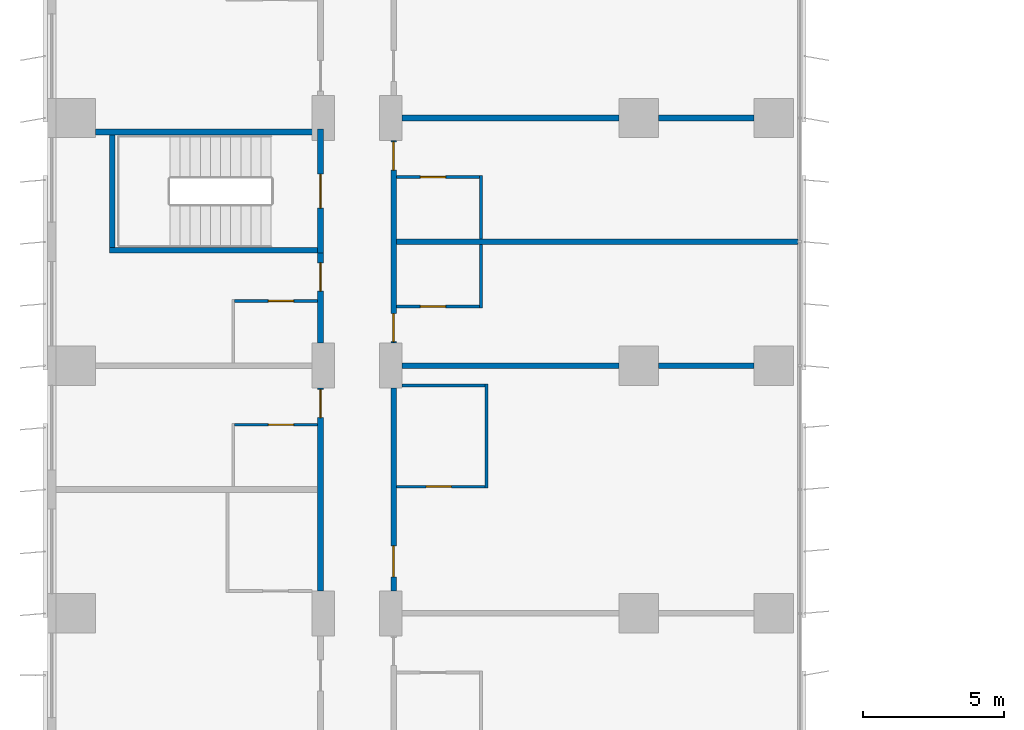
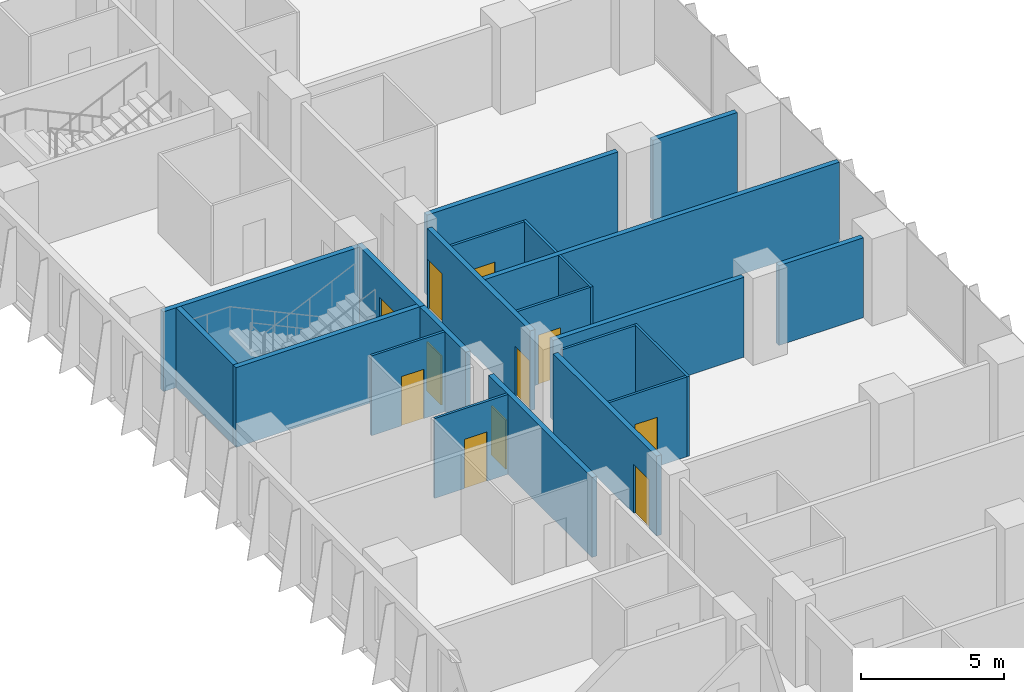
# One storey, part 17 of 24: 22 walls, 11 doors, 11 openings.
"""IFC4 building model written with IfcOpenShell, lengths in metres."""

from ifc_helpers import new_model, si_unit, direction, frame, frame_2d, origin, place, context, subcontext, project, spatial, rectangle, extrude, material, layer, layer_set, type_object, element, fill, save


model = new_model("IFC4")

# Units and contexts
model_context = context("Model", 3, precision=1e-05, world=origin(), true_north=direction((0.0, 1.0)))
body_context = subcontext(model_context, "Body", "Model", "MODEL_VIEW")
ifc_project = project(units=[si_unit("LENGTHUNIT", "METRE"), si_unit("AREAUNIT", "SQUARE_METRE"), si_unit("VOLUMEUNIT", "CUBIC_METRE"), si_unit("PLANEANGLEUNIT", "RADIAN"), si_unit("MASSUNIT", "GRAM", prefix="KILO")], contexts=[model_context])

# Site, building, storey
site_placement = place(None, origin())
site = spatial("IfcSite", under=ifc_project, at=site_placement, CompositionType="ELEMENT")
building_placement = place(site_placement, origin())
building = spatial("IfcBuilding", under=site, at=building_placement, Name="Kemantara Hotel Tower", CompositionType="ELEMENT")
storey_placement = place(building_placement, frame((0.0, 0.0, 63.60009765625)))
storey = spatial("IfcBuildingStorey", under=building, at=storey_placement, Name="L14", CompositionType="ELEMENT", Elevation=63.60009765625)

# Wall, opening, door
ifc_material_1 = material(Name="Gypsum board partition, steel studs and mineral wool, 200 mm", Category="steel")
ifc_layer_1 = layer(ifc_material_1, 0.199951171875)
ifc_layer_set_1 = layer_set([ifc_layer_1], Name="Gypsum board partition, steel studs and mineral wool, 200 mm")
wall_type_1 = type_object("IfcWallType", Name="CORRIDOR WALL 200", PredefinedType="PARTITIONING", material=ifc_layer_set_1)
wall_1_placement = place(storey_placement, frame((9.699951171875, 45.800048828125, 0.0), z_axis=(0.0, 0.0, 1.0), x_axis=(0.0, 1.0, 0.0)))
wall_1 = element("IfcWall", 1, at=wall_1_placement, inside=storey, type_object=wall_type_1, Name="CORRIDOR WALL 200 031", PredefinedType="PARTITIONING", context=body_context, shape_type="SweptSolid", body=[
    extrude(rectangle(XDim=7.199951171875, YDim=0.199951171875, at=frame_2d((3.60009765625, 0.0))), origin(), (0.0, 0.0, 1.0), 3.39990234375),
])
opening_1_placement = place(wall_1_placement, frame((6.14990234375, 0.0, 0.0)))
opening_1 = element("IfcOpeningElement", 2, at=opening_1_placement, cuts=wall_1, Name="Opening F05-041", PredefinedType="OPENING", context=body_context, shape_type="SweptSolid", body=[
    extrude(rectangle(XDim=1.0, YDim=2.10009765625, at=frame_2d((0.5, 1.050048828125))), frame((0.0, 0.10986328125, 0.0), z_axis=(0.0, -1.0, 0.0), x_axis=(1.0, 0.0, 0.0)), (0.0, 0.0, 1.0), 0.219970703125),
])
ifc_material_2 = material(Name="Hardwood veneer door leaf with steel frame", Category="steel")
door_type_1 = type_object("IfcDoorType", Name="GUEST ROOM DOOR 1000 X 2100 FD30S", OperationType="NOTDEFINED", PredefinedType="DOOR", material=ifc_material_2)
door_1_placement = place(opening_1_placement, origin())
door_1 = element("IfcDoor", 3, at=door_1_placement, inside=storey, type_object=door_type_1, Name="GUEST ROOM DOOR F05-041", OperationType="SINGLE_SWING_RIGHT", OverallHeight=2.10009765625, OverallWidth=1.0, PredefinedType="DOOR", context=body_context, shape_type="SweptSolid", body=[
    extrude(rectangle(XDim=1.0, YDim=2.10009765625, at=frame_2d((0.5, 1.050048828125))), frame((0.0, 0.02490234375, 0.0), z_axis=(0.0, -1.0, 0.0), x_axis=(1.0, 0.0, 0.0)), (0.0, 0.0, 1.0), 0.050048828125),
])
fill(opening_1, door_1)

wall_2_placement = place(storey_placement, frame((9.699951171875, 54.60009765625, 0.0), z_axis=(0.0, 0.0, 1.0), x_axis=(0.0, 1.0, 0.0)))
wall_2 = element("IfcWall", 4, at=wall_2_placement, inside=storey, type_object=wall_type_1, Name="CORRIDOR WALL 200 032", PredefinedType="PARTITIONING", context=body_context, shape_type="SweptSolid", body=[
    extrude(rectangle(XDim=3.199951171875, YDim=0.199951171875, at=frame_2d((1.60009765625, 0.0))), origin(), (0.0, 0.0, 1.0), 3.39990234375),
])
opening_2_placement = place(wall_2_placement, frame((1.849853515625, 0.0, 0.0)))
opening_2 = element("IfcOpeningElement", 5, at=opening_2_placement, cuts=wall_2, Name="Opening F05-043", PredefinedType="OPENING", context=body_context, shape_type="SweptSolid", body=[
    extrude(rectangle(XDim=1.0, YDim=2.10009765625, at=frame_2d((0.5, 1.050048828125))), frame((0.0, 0.10986328125, 0.0), z_axis=(0.0, -1.0, 0.0), x_axis=(1.0, 0.0, 0.0)), (0.0, 0.0, 1.0), 0.219970703125),
])
door_2_placement = place(opening_2_placement, origin())
door_2 = element("IfcDoor", 6, at=door_2_placement, inside=storey, type_object=door_type_1, Name="GUEST ROOM DOOR F05-043", OperationType="SINGLE_SWING_RIGHT", OverallHeight=2.10009765625, OverallWidth=1.0, PredefinedType="DOOR", context=body_context, shape_type="SweptSolid", body=[
    extrude(rectangle(XDim=1.0, YDim=2.10009765625, at=frame_2d((0.5, 1.050048828125))), frame((0.0, 0.02490234375, 0.0), z_axis=(0.0, -1.0, 0.0), x_axis=(1.0, 0.0, 0.0)), (0.0, 0.0, 1.0), 0.050048828125),
])
fill(opening_2, door_2)

wall_3_placement = place(storey_placement, frame((12.300048828125, 53.0, 0.0), z_axis=(0.0, 0.0, 1.0), x_axis=(0.0, -1.0, 0.0)))
wall_3 = element("IfcWall", 7, at=wall_3_placement, inside=storey, type_object=wall_type_1, Name="CORRIDOR WALL 200 051", PredefinedType="PARTITIONING", context=body_context, shape_type="SweptSolid", body=[
    extrude(rectangle(XDim=7.199951171875, YDim=0.199951171875, at=frame_2d((3.60009765625, 0.0))), origin(), (0.0, 0.0, 1.0), 3.39990234375),
])
opening_3_placement = place(wall_3_placement, frame((5.599853515625, 0.0, 0.0)))
opening_3 = element("IfcOpeningElement", 8, at=opening_3_placement, cuts=wall_3, Name="Opening F05-057", PredefinedType="OPENING", context=body_context, shape_type="SweptSolid", body=[
    extrude(rectangle(XDim=1.10009765625, YDim=2.10009765625, at=frame_2d((0.550048828125, 1.050048828125))), frame((0.0, 0.10986328125, 0.0), z_axis=(0.0, -1.0, 0.0), x_axis=(1.0, 0.0, 0.0)), (0.0, 0.0, 1.0), 0.219970703125),
])
door_type_2 = type_object("IfcDoorType", Name="SUITE ENTRANCE DOOR 1100 X 2100 FD30S", OperationType="NOTDEFINED", PredefinedType="DOOR", material=ifc_material_2)
door_3_placement = place(opening_3_placement, origin())
door_3 = element("IfcDoor", 9, at=door_3_placement, inside=storey, type_object=door_type_2, Name="SUITE ENTRANCE DOOR F05-057", OperationType="SINGLE_SWING_RIGHT", OverallHeight=2.10009765625, OverallWidth=1.10009765625, PredefinedType="DOOR", context=body_context, shape_type="SweptSolid", body=[
    extrude(rectangle(XDim=1.10009765625, YDim=2.10009765625, at=frame_2d((0.550048828125, 1.050048828125))), frame((0.0, 0.02490234375, 0.0), z_axis=(0.0, -1.0, 0.0), x_axis=(1.0, 0.0, 0.0)), (0.0, 0.0, 1.0), 0.050048828125),
])
fill(opening_3, door_3)

# Wall, openings, doors
wall_4_placement = place(storey_placement, frame((12.300048828125, 61.7998046875, 0.0), z_axis=(0.0, 0.0, 1.0), x_axis=(0.0, -1.0, 0.0)))
wall_4 = element("IfcWall", 10, at=wall_4_placement, inside=storey, type_object=wall_type_1, Name="CORRIDOR WALL 200 052", PredefinedType="PARTITIONING", context=body_context, shape_type="SweptSolid", body=[
    extrude(rectangle(XDim=7.19970703125, YDim=0.199951171875, at=frame_2d((3.599853515625, 0.0))), origin(), (0.0, 0.0, 1.0), 3.39990234375),
])
opening_4_placement = place(wall_4_placement, frame((6.14990234375, 0.0, 0.0)))
opening_4 = element("IfcOpeningElement", 11, at=opening_4_placement, cuts=wall_4, Name="Opening F05-059", PredefinedType="OPENING", context=body_context, shape_type="SweptSolid", body=[
    extrude(rectangle(XDim=1.0, YDim=2.10009765625, at=frame_2d((0.5, 1.050048828125))), frame((0.0, 0.10986328125, 0.0), z_axis=(0.0, -1.0, 0.0), x_axis=(1.0, 0.0, 0.0)), (0.0, 0.0, 1.0), 0.219970703125),
])
opening_5_placement = place(wall_4_placement, frame((0.0498046875, 0.0, 0.0)))
opening_5 = element("IfcOpeningElement", 12, at=opening_5_placement, cuts=wall_4, Name="Opening F05-061", PredefinedType="OPENING", context=body_context, shape_type="SweptSolid", body=[
    extrude(rectangle(XDim=1.0, YDim=2.10009765625, at=frame_2d((0.5, 1.050048828125))), frame((0.0, 0.10986328125, 0.0), z_axis=(0.0, -1.0, 0.0), x_axis=(1.0, 0.0, 0.0)), (0.0, 0.0, 1.0), 0.219970703125),
])
door_4_placement = place(opening_4_placement, origin())
door_4 = element("IfcDoor", 13, at=door_4_placement, inside=storey, type_object=door_type_1, Name="GUEST ROOM DOOR F05-059", OperationType="SINGLE_SWING_RIGHT", OverallHeight=2.10009765625, OverallWidth=1.0, PredefinedType="DOOR", context=body_context, shape_type="SweptSolid", body=[
    extrude(rectangle(XDim=1.0, YDim=2.10009765625, at=frame_2d((0.5, 1.050048828125))), frame((0.0, 0.02490234375, 0.0), z_axis=(0.0, -1.0, 0.0), x_axis=(1.0, 0.0, 0.0)), (0.0, 0.0, 1.0), 0.050048828125),
])
fill(opening_4, door_4)
door_5_placement = place(opening_5_placement, origin())
door_5 = element("IfcDoor", 14, at=door_5_placement, inside=storey, type_object=door_type_1, Name="GUEST ROOM DOOR F05-061", OperationType="SINGLE_SWING_LEFT", OverallHeight=2.10009765625, OverallWidth=1.0, PredefinedType="DOOR", context=body_context, shape_type="SweptSolid", body=[
    extrude(rectangle(XDim=1.0, YDim=2.10009765625, at=frame_2d((0.5, 1.050048828125))), frame((0.0, 0.02490234375, 0.0), z_axis=(0.0, -1.0, 0.0), x_axis=(1.0, 0.0, 0.0)), (0.0, 0.0, 1.0), 0.050048828125),
])
fill(opening_5, door_5)

# Wall, opening, door
ifc_material_3 = material(Name="Concrete fc 40 MPa", Category="concrete")
ifc_layer_2 = layer(ifc_material_3, 0.199951171875)
ifc_layer_set_2 = layer_set([ifc_layer_2], Name="Concrete fc 40 MPa")
wall_type_2 = type_object("IfcWallType", Name="Concrete stair wall 200 mm", PredefinedType="SHEAR", material=ifc_layer_set_2)
wall_5_placement = place(storey_placement, frame((9.699951171875, 57.800048828125, 0.0), z_axis=(0.0, 0.0, 1.0), x_axis=(0.0, 1.0, 0.0)))
wall_5 = element("IfcWall", 15, at=wall_5_placement, inside=storey, type_object=wall_type_2, Name="Stair ST4 enclosure wall with door", PredefinedType="SHEAR", context=body_context, shape_type="SweptSolid", body=[
    extrude(rectangle(XDim=4.39990234375, YDim=0.199951171875, at=frame_2d((2.199951171875, 0.0))), origin(), (0.0, 0.0, 1.0), 3.39990234375),
])
opening_6_placement = place(wall_5_placement, frame((1.60009765625, 0.0, 0.0)))
opening_6 = element("IfcOpeningElement", 16, at=opening_6_placement, cuts=wall_5, Name="Opening ST4-C", PredefinedType="OPENING", context=body_context, shape_type="SweptSolid", body=[
    extrude(rectangle(XDim=1.199951171875, YDim=2.10009765625, at=frame_2d((0.60009765625, 1.050048828125))), frame((0.0, 0.10986328125, 0.0), z_axis=(0.0, -1.0, 0.0), x_axis=(1.0, 0.0, 0.0)), (0.0, 0.0, 1.0), 0.219970703125),
])
ifc_material_4 = material(Name="Steel fire door", Category="steel")
door_type_3 = type_object("IfcDoorType", Name="Fire door FD90 1200 x 2100", OperationType="NOTDEFINED", PredefinedType="DOOR", material=ifc_material_4)
door_6_placement = place(opening_6_placement, origin())
door_6 = element("IfcDoor", 17, at=door_6_placement, inside=storey, type_object=door_type_3, Name="Stair ST4 door", OperationType="SINGLE_SWING_RIGHT", OverallHeight=2.10009765625, OverallWidth=1.199951171875, PredefinedType="DOOR", context=body_context, shape_type="SweptSolid", body=[
    extrude(rectangle(XDim=1.199951171875, YDim=2.10009765625, at=frame_2d((0.60009765625, 1.050048828125))), frame((0.0, 0.02490234375, 0.0), z_axis=(0.0, -1.0, 0.0), x_axis=(1.0, 0.0, 0.0)), (0.0, 0.0, 1.0), 0.050048828125),
])
fill(opening_6, door_6)

# Walls
wall_6_placement = place(storey_placement, frame((1.699951171875, 62.10009765625, 0.0), z_axis=(0.0, 0.0, 1.0), x_axis=(1.0, 0.0, 0.0)))
element("IfcWall", 18, at=wall_6_placement, inside=storey, type_object=wall_type_2, Name="Stair ST4 enclosure wall N", PredefinedType="SHEAR", context=body_context, shape_type="SweptSolid", body=[
    extrude(rectangle(XDim=7.900146484375, YDim=0.199951171875, at=frame_2d((3.9501953125, 0.0))), origin(), (0.0, 0.0, 1.0), 3.39990234375),
])
wall_7_placement = place(storey_placement, frame((2.199951171875, 57.89990234375, 0.0), z_axis=(0.0, 0.0, 1.0), x_axis=(1.0, 0.0, 0.0)))
element("IfcWall", 19, at=wall_7_placement, inside=storey, type_object=wall_type_2, Name="Stair ST4 enclosure wall S", PredefinedType="SHEAR", context=body_context, shape_type="SweptSolid", body=[
    extrude(rectangle(XDim=7.400146484375, YDim=0.199951171875, at=frame_2d((3.7001953125, 0.0))), origin(), (0.0, 0.0, 1.0), 3.39990234375),
])
wall_8_placement = place(storey_placement, frame((2.300048828125, 58.0, 0.0), z_axis=(0.0, 0.0, 1.0), x_axis=(0.0, 1.0, 0.0)))
element("IfcWall", 20, at=wall_8_placement, inside=storey, type_object=wall_type_2, Name="Stair ST4 enclosure wall W", PredefinedType="SHEAR", context=body_context, shape_type="SweptSolid", body=[
    extrude(rectangle(XDim=4.0, YDim=0.199951171875, at=frame_2d((2.0, 0.0))), origin(), (0.0, 0.0, 1.0), 3.39990234375),
])
ifc_layer_3 = layer(ifc_material_1, 0.199951171875)
ifc_layer_set_3 = layer_set([ifc_layer_3], Name="Gypsum board partition, steel studs and mineral wool, 200 mm")
wall_type_3 = type_object("IfcWallType", Name="GUEST ROOM PARTY WALL 200", PredefinedType="PARTITIONING", material=ifc_layer_set_3)
wall_9_placement = place(storey_placement, frame((12.60009765625, 53.800048828125, 0.0), z_axis=(0.0, 0.0, 1.0), x_axis=(1.0, 0.0, 0.0)))
element("IfcWall", 21, at=wall_9_placement, inside=storey, type_object=wall_type_3, Name="GUEST ROOM PARTY WALL 200 046", PredefinedType="PARTITIONING", context=body_context, shape_type="SweptSolid", body=[
    extrude(rectangle(XDim=7.69970703125, YDim=0.199951171875, at=frame_2d((3.849853515625, 0.0))), origin(), (0.0, 0.0, 1.0), 3.39990234375),
])
wall_10_placement = place(storey_placement, frame((21.7001953125, 53.800048828125, 0.0), z_axis=(0.0, 0.0, 1.0), x_axis=(1.0, 0.0, 0.0)))
element("IfcWall", 22, at=wall_10_placement, inside=storey, type_object=wall_type_3, Name="GUEST ROOM PARTY WALL 200 047", PredefinedType="PARTITIONING", context=body_context, shape_type="SweptSolid", body=[
    extrude(rectangle(XDim=3.399658203125, YDim=0.199951171875, at=frame_2d((1.69970703125, 0.0))), origin(), (0.0, 0.0, 1.0), 3.39990234375),
])
wall_11_placement = place(storey_placement, frame((12.39990234375, 58.199951171875, 0.0), z_axis=(0.0, 0.0, 1.0), x_axis=(1.0, 0.0, 0.0)))
element("IfcWall", 23, at=wall_11_placement, inside=storey, type_object=wall_type_3, Name="GUEST ROOM PARTY WALL 200 060", PredefinedType="PARTITIONING", context=body_context, shape_type="SweptSolid", body=[
    extrude(rectangle(XDim=14.27001953125, YDim=0.199951171875, at=frame_2d((7.135009765625, 0.0))), origin(), (0.0, 0.0, 1.0), 3.39990234375),
])
wall_12_placement = place(storey_placement, frame((12.60009765625, 62.60009765625, 0.0), z_axis=(0.0, 0.0, 1.0), x_axis=(1.0, 0.0, 0.0)))
element("IfcWall", 24, at=wall_12_placement, inside=storey, type_object=wall_type_3, Name="GUEST ROOM PARTY WALL 200 061", PredefinedType="PARTITIONING", context=body_context, shape_type="SweptSolid", body=[
    extrude(rectangle(XDim=7.69970703125, YDim=0.199951171875, at=frame_2d((3.849853515625, 0.0))), origin(), (0.0, 0.0, 1.0), 3.39990234375),
])
wall_13_placement = place(storey_placement, frame((21.7001953125, 62.60009765625, 0.0), z_axis=(0.0, 0.0, 1.0), x_axis=(1.0, 0.0, 0.0)))
element("IfcWall", 25, at=wall_13_placement, inside=storey, type_object=wall_type_3, Name="GUEST ROOM PARTY WALL 200 062", PredefinedType="PARTITIONING", context=body_context, shape_type="SweptSolid", body=[
    extrude(rectangle(XDim=3.399658203125, YDim=0.199951171875, at=frame_2d((1.69970703125, 0.0))), origin(), (0.0, 0.0, 1.0), 3.39990234375),
])

# Wall, opening, door
ifc_material_5 = material(Name="Gypsum board partition on steel studs, 100 mm", Category="steel")
ifc_layer_4 = layer(ifc_material_5, 0.10009765625)
ifc_layer_set_4 = layer_set([ifc_layer_4], Name="Gypsum board partition on steel studs, 100 mm")
wall_type_4 = type_object("IfcWallType", Name="ROOM PARTITION 100", PredefinedType="PARTITIONING", material=ifc_layer_set_4)
wall_14_placement = place(storey_placement, frame((9.60009765625, 51.699951171875, 0.0), z_axis=(0.0, 0.0, 1.0), x_axis=(-1.0, 0.0, 0.0)))
wall_14 = element("IfcWall", 26, at=wall_14_placement, inside=storey, type_object=wall_type_4, Name="ROOM PARTITION 100 112", PredefinedType="PARTITIONING", context=body_context, shape_type="SweptSolid", body=[
    extrude(rectangle(XDim=2.9501953125, YDim=0.10009765625, at=frame_2d((1.47509765625, 0.0))), origin(), (0.0, 0.0, 1.0), 3.39990234375),
])
opening_7_placement = place(wall_14_placement, frame((0.85009765625, 0.0, 0.0)))
opening_7 = element("IfcOpeningElement", 27, at=opening_7_placement, cuts=wall_14, Name="Opening F05-042", PredefinedType="OPENING", context=body_context, shape_type="SweptSolid", body=[
    extrude(rectangle(XDim=0.89990234375, YDim=2.10009765625, at=frame_2d((0.449951171875, 1.050048828125))), frame((0.0, 0.06005859375, 0.0), z_axis=(0.0, -1.0, 0.0), x_axis=(1.0, 0.0, 0.0)), (0.0, 0.0, 1.0), 0.1201171875),
])
door_type_4 = type_object("IfcDoorType", Name="BATHROOM DOOR 900 X 2100", OperationType="NOTDEFINED", PredefinedType="DOOR", material=ifc_material_2)
door_7_placement = place(opening_7_placement, origin())
door_7 = element("IfcDoor", 28, at=door_7_placement, inside=storey, type_object=door_type_4, Name="BATHROOM DOOR F05-042", OperationType="SINGLE_SWING_LEFT", OverallHeight=2.10009765625, OverallWidth=0.89990234375, PredefinedType="DOOR", context=body_context, shape_type="SweptSolid", body=[
    extrude(rectangle(XDim=0.89990234375, YDim=2.10009765625, at=frame_2d((0.449951171875, 1.050048828125))), frame((0.0, 0.02490234375, 0.0), z_axis=(0.0, -1.0, 0.0), x_axis=(1.0, 0.0, 0.0)), (0.0, 0.0, 1.0), 0.050048828125),
])
fill(opening_7, door_7)

wall_15_placement = place(storey_placement, frame((9.60009765625, 56.10009765625, 0.0), z_axis=(0.0, 0.0, 1.0), x_axis=(-1.0, 0.0, 0.0)))
wall_15 = element("IfcWall", 29, at=wall_15_placement, inside=storey, type_object=wall_type_4, Name="ROOM PARTITION 100 113", PredefinedType="PARTITIONING", context=body_context, shape_type="SweptSolid", body=[
    extrude(rectangle(XDim=2.9501953125, YDim=0.10009765625, at=frame_2d((1.47509765625, 0.0))), origin(), (0.0, 0.0, 1.0), 3.39990234375),
])
opening_8_placement = place(wall_15_placement, frame((0.85009765625, 0.0, 0.0)))
opening_8 = element("IfcOpeningElement", 30, at=opening_8_placement, cuts=wall_15, Name="Opening F05-044", PredefinedType="OPENING", context=body_context, shape_type="SweptSolid", body=[
    extrude(rectangle(XDim=0.89990234375, YDim=2.10009765625, at=frame_2d((0.449951171875, 1.050048828125))), frame((0.0, 0.06005859375, 0.0), z_axis=(0.0, -1.0, 0.0), x_axis=(1.0, 0.0, 0.0)), (0.0, 0.0, 1.0), 0.1201171875),
])
door_8_placement = place(opening_8_placement, origin())
door_8 = element("IfcDoor", 31, at=door_8_placement, inside=storey, type_object=door_type_4, Name="BATHROOM DOOR F05-044", OperationType="SINGLE_SWING_LEFT", OverallHeight=2.10009765625, OverallWidth=0.89990234375, PredefinedType="DOOR", context=body_context, shape_type="SweptSolid", body=[
    extrude(rectangle(XDim=0.89990234375, YDim=2.10009765625, at=frame_2d((0.449951171875, 1.050048828125))), frame((0.0, 0.02490234375, 0.0), z_axis=(0.0, -1.0, 0.0), x_axis=(1.0, 0.0, 0.0)), (0.0, 0.0, 1.0), 0.050048828125),
])
fill(opening_8, door_8)

# Walls
wall_16_placement = place(storey_placement, frame((15.60009765625, 49.449951171875, 0.0), z_axis=(0.0, 0.0, 1.0), x_axis=(0.0, 1.0, 0.0)))
element("IfcWall", 32, at=wall_16_placement, inside=storey, type_object=wall_type_4, Name="ROOM PARTITION 100 118", PredefinedType="PARTITIONING", context=body_context, shape_type="SweptSolid", body=[
    extrude(rectangle(XDim=3.699951171875, YDim=0.10009765625, at=frame_2d((1.85009765625, 0.0))), origin(), (0.0, 0.0, 1.0), 3.39990234375),
])
for number, where, z_axis, x_axis, name in (
    (33, (15.39990234375, 55.85009765625, 0.0), (0.0, 0.0, 1.0), (0.0, 1.0, 0.0), "ROOM PARTITION 100 123"),
    (34, (15.39990234375, 58.300048828125, 0.0), (0.0, 0.0, 1.0), (0.0, 1.0, 0.0), "ROOM PARTITION 100 124"),
):
    element("IfcWall", number, at=place(storey_placement, frame(where, z_axis=z_axis, x_axis=x_axis)), inside=storey, type_object=wall_type_4, Name=name, PredefinedType="PARTITIONING", context=body_context, shape_type="SweptSolid", body=[
        extrude(rectangle(XDim=2.25, YDim=0.10009765625, at=frame_2d((1.125, 0.0))), origin(), (0.0, 0.0, 1.0), 3.39990234375),
    ])

# Wall, opening, door
wall_17_placement = place(storey_placement, frame((12.39990234375, 49.5, 0.0), z_axis=(0.0, 0.0, 1.0), x_axis=(1.0, 0.0, 0.0)))
wall_17 = element("IfcWall", 35, at=wall_17_placement, inside=storey, type_object=wall_type_4, Name="ROOM PARTITION 100 126", PredefinedType="PARTITIONING", context=body_context, shape_type="SweptSolid", body=[
    extrude(rectangle(XDim=3.150146484375, YDim=0.10009765625, at=frame_2d((1.5751953125, 0.0))), origin(), (0.0, 0.0, 1.0), 3.39990234375),
])
opening_9_placement = place(wall_17_placement, frame((1.050048828125, 0.0, 0.0)))
opening_9 = element("IfcOpeningElement", 36, at=opening_9_placement, cuts=wall_17, Name="Opening F05-058", PredefinedType="OPENING", context=body_context, shape_type="SweptSolid", body=[
    extrude(rectangle(XDim=0.89990234375, YDim=2.10009765625, at=frame_2d((0.449951171875, 1.050048828125))), frame((0.0, 0.06005859375, 0.0), z_axis=(0.0, -1.0, 0.0), x_axis=(1.0, 0.0, 0.0)), (0.0, 0.0, 1.0), 0.1201171875),
])
door_9_placement = place(opening_9_placement, origin())
door_9 = element("IfcDoor", 37, at=door_9_placement, inside=storey, type_object=door_type_4, Name="BATHROOM DOOR F05-058", OperationType="SINGLE_SWING_LEFT", OverallHeight=2.10009765625, OverallWidth=0.89990234375, PredefinedType="DOOR", context=body_context, shape_type="SweptSolid", body=[
    extrude(rectangle(XDim=0.89990234375, YDim=2.10009765625, at=frame_2d((0.449951171875, 1.050048828125))), frame((0.0, 0.02490234375, 0.0), z_axis=(0.0, -1.0, 0.0), x_axis=(1.0, 0.0, 0.0)), (0.0, 0.0, 1.0), 0.050048828125),
])
fill(opening_9, door_9)

# Wall
wall_18_placement = place(storey_placement, frame((12.60009765625, 53.10009765625, 0.0), z_axis=(0.0, 0.0, 1.0), x_axis=(1.0, 0.0, 0.0)))
element("IfcWall", 38, at=wall_18_placement, inside=storey, type_object=wall_type_4, Name="ROOM PARTITION 100 127", PredefinedType="PARTITIONING", context=body_context, shape_type="SweptSolid", body=[
    extrude(rectangle(XDim=2.949951171875, YDim=0.10009765625, at=frame_2d((1.47509765625, 0.0))), origin(), (0.0, 0.0, 1.0), 3.39990234375),
])

# Wall, opening, door
wall_19_placement = place(storey_placement, frame((12.39990234375, 55.89990234375, 0.0), z_axis=(0.0, 0.0, 1.0), x_axis=(1.0, 0.0, 0.0)))
wall_19 = element("IfcWall", 39, at=wall_19_placement, inside=storey, type_object=wall_type_4, Name="ROOM PARTITION 100 128", PredefinedType="PARTITIONING", context=body_context, shape_type="SweptSolid", body=[
    extrude(rectangle(XDim=2.9501953125, YDim=0.10009765625, at=frame_2d((1.47509765625, 0.0))), origin(), (0.0, 0.0, 1.0), 3.39990234375),
])
opening_10_placement = place(wall_19_placement, frame((0.85009765625, 0.0, 0.0)))
opening_10 = element("IfcOpeningElement", 40, at=opening_10_placement, cuts=wall_19, Name="Opening F05-060", PredefinedType="OPENING", context=body_context, shape_type="SweptSolid", body=[
    extrude(rectangle(XDim=0.89990234375, YDim=2.10009765625, at=frame_2d((0.449951171875, 1.050048828125))), frame((0.0, 0.06005859375, 0.0), z_axis=(0.0, -1.0, 0.0), x_axis=(1.0, 0.0, 0.0)), (0.0, 0.0, 1.0), 0.1201171875),
])
door_10_placement = place(opening_10_placement, origin())
door_10 = element("IfcDoor", 41, at=door_10_placement, inside=storey, type_object=door_type_4, Name="BATHROOM DOOR F05-060", OperationType="SINGLE_SWING_LEFT", OverallHeight=2.10009765625, OverallWidth=0.89990234375, PredefinedType="DOOR", context=body_context, shape_type="SweptSolid", body=[
    extrude(rectangle(XDim=0.89990234375, YDim=2.10009765625, at=frame_2d((0.449951171875, 1.050048828125))), frame((0.0, 0.02490234375, 0.0), z_axis=(0.0, -1.0, 0.0), x_axis=(1.0, 0.0, 0.0)), (0.0, 0.0, 1.0), 0.050048828125),
])
fill(opening_10, door_10)

wall_20_placement = place(storey_placement, frame((15.35009765625, 60.5, 0.0), z_axis=(0.0, 0.0, 1.0), x_axis=(-1.0, 0.0, 0.0)))
wall_20 = element("IfcWall", 42, at=wall_20_placement, inside=storey, type_object=wall_type_4, Name="ROOM PARTITION 100 129", PredefinedType="PARTITIONING", context=body_context, shape_type="SweptSolid", body=[
    extrude(rectangle(XDim=2.9501953125, YDim=0.10009765625, at=frame_2d((1.47509765625, 0.0))), origin(), (0.0, 0.0, 1.0), 3.39990234375),
])
opening_11_placement = place(wall_20_placement, frame((1.199951171875, 0.0, 0.0)))
opening_11 = element("IfcOpeningElement", 43, at=opening_11_placement, cuts=wall_20, Name="Opening F05-062", PredefinedType="OPENING", context=body_context, shape_type="SweptSolid", body=[
    extrude(rectangle(XDim=0.89990234375, YDim=2.10009765625, at=frame_2d((0.449951171875, 1.050048828125))), frame((0.0, 0.06005859375, 0.0), z_axis=(0.0, -1.0, 0.0), x_axis=(1.0, 0.0, 0.0)), (0.0, 0.0, 1.0), 0.1201171875),
])
door_11_placement = place(opening_11_placement, origin())
door_11 = element("IfcDoor", 44, at=door_11_placement, inside=storey, type_object=door_type_4, Name="BATHROOM DOOR F05-062", OperationType="SINGLE_SWING_RIGHT", OverallHeight=2.10009765625, OverallWidth=0.89990234375, PredefinedType="DOOR", context=body_context, shape_type="SweptSolid", body=[
    extrude(rectangle(XDim=0.89990234375, YDim=2.10009765625, at=frame_2d((0.449951171875, 1.050048828125))), frame((0.0, 0.02490234375, 0.0), z_axis=(0.0, -1.0, 0.0), x_axis=(1.0, 0.0, 0.0)), (0.0, 0.0, 1.0), 0.050048828125),
])
fill(opening_11, door_11)

save(model, "model.ifc")
